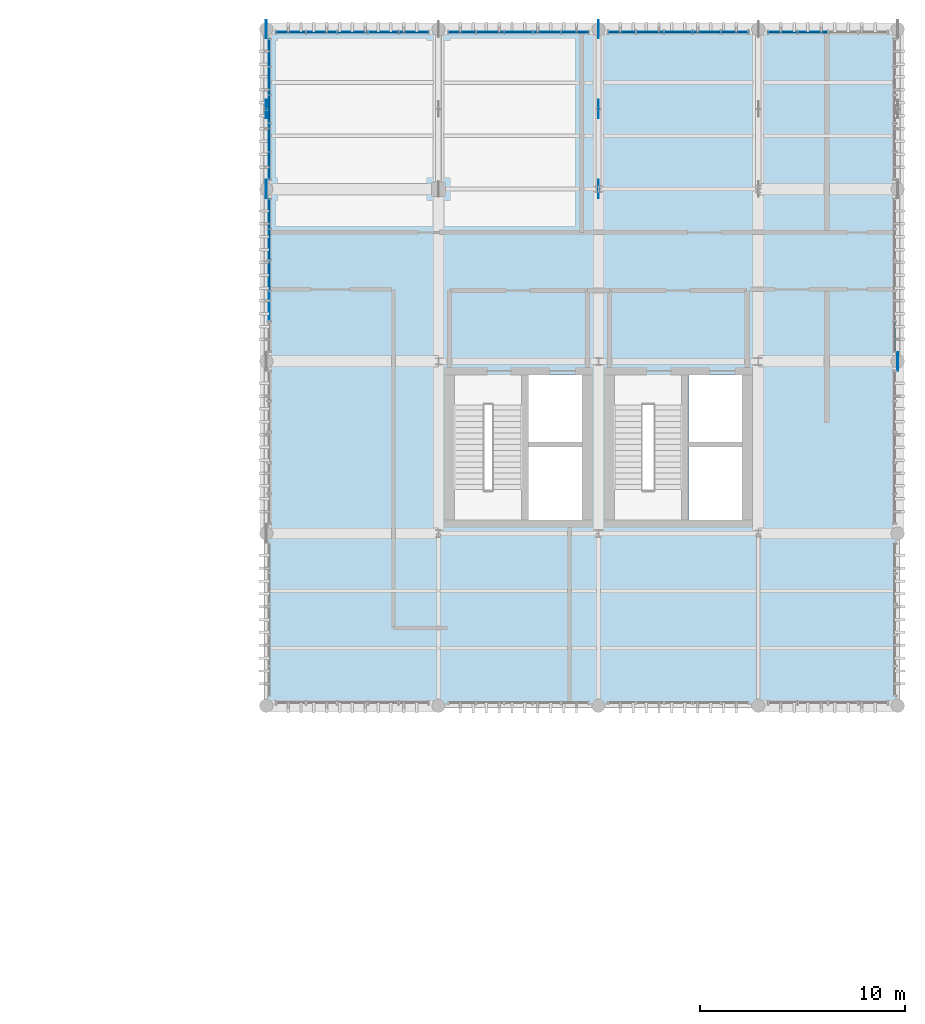
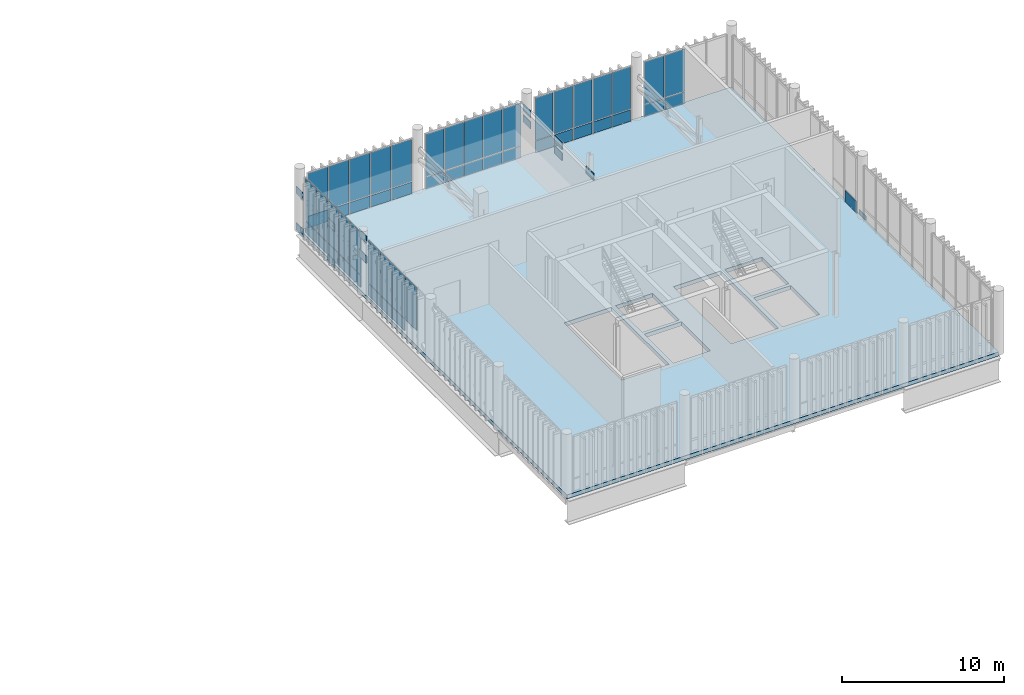
# One storey, part 66 of 81: 64 plates, 1 slab, 7 elements without a shape of their own.
"""IFC4 building model written with IfcOpenShell, lengths in metres."""

from ifc_helpers import new_model, si_unit, direction, frame, frame_2d, origin_with_axes, origin_2d_with_axis, place, context, subcontext, project, spatial, polyline, rectangle, outline, extrude, material, layer, layer_set, type_object, element, aggregate, save


model = new_model("IFC4")

# Units and contexts
model_context = context("Model", 3, precision=1e-05, world=origin_with_axes(), true_north=direction((0.0, 1.0)))
body_context = subcontext(model_context, "Body", "Model", "MODEL_VIEW")
ifc_project = project(units=[si_unit("LENGTHUNIT", "METRE"), si_unit("AREAUNIT", "SQUARE_METRE"), si_unit("VOLUMEUNIT", "CUBIC_METRE"), si_unit("PLANEANGLEUNIT", "RADIAN"), si_unit("MASSUNIT", "GRAM", prefix="KILO"), si_unit("THERMODYNAMICTEMPERATUREUNIT", "KELVIN")], contexts=[model_context])

# Site, building, storey
site_placement = place(None, origin_with_axes())
site = spatial("IfcSite", under=ifc_project, at=site_placement, CompositionType="ELEMENT")
building_placement = place(site_placement, origin_with_axes())
building = spatial("IfcBuilding", under=site, at=building_placement, Name="Montbau Bow Law Courts", CompositionType="ELEMENT")
storey_placement = place(building_placement, frame((0.0, 0.0, 24.9), z_axis=(0.0, 0.0, 1.0), x_axis=(1.0, 0.0, 0.0)))
storey = spatial("IfcBuildingStorey", under=building, at=storey_placement, Name="L05", CompositionType="ELEMENT", Elevation=24.9)

# Curtain wall, plates
ifc_material_1 = material(Name="Thermally Broken Extruded Aluminium AA 6063-T6", Category="aluminium")
curtain_wall_type = type_object("IfcCurtainWallType", Name="CW-SLT-02", PredefinedType="NOTDEFINED", material=ifc_material_1)
curtain_wall_1_placement = place(None, frame((139.04, 110.86, 24.9), z_axis=(0.0, 0.0, 1.0), x_axis=(1.0, 0.0, 0.0)))
curtain_wall_1 = element("IfcCurtainWall", 1, at=curtain_wall_1_placement, inside=storey, type_object=curtain_wall_type, Name="CW-L05-337:cw_0337", PredefinedType="NOTDEFINED")
ifc_material_2 = material(Name="Triple-Glazed Low-E Argon Insulating Glass Unit", Category="glass")
ifc_layer_1 = layer(ifc_material_2, 0.044, Name="Curtain Panel", Category="glass")
ifc_layer_set_1 = layer_set([ifc_layer_1], Name="Triple-Glazed Low-E Argon Insulating Glass Unit")
plate_type_1 = type_object("IfcPlateType", Name="PL-CWP-01", PredefinedType="CURTAIN_PANEL", material=ifc_layer_set_1)
plate_1_placement = place(None, frame((139.108, 110.86, 25.88), z_axis=(0.0, -1.0, 0.0), x_axis=(1.0, 0.0, 0.0)))
plate_1 = element("IfcPlate", 2, at=plate_1_placement, type_object=plate_type_1, Name="CW-L05-337-P01-2:cw_0337_P01_2", PredefinedType="CURTAIN_PANEL", context=body_context, shape_type="SweptSolid", body=[
    extrude(rectangle(XDim=1.402, YDim=3.184, at=frame_2d((0.701, 1.592), x_axis=(1.0, 0.0))), frame((0.0, 0.0, -0.022), z_axis=(0.0, 0.0, 1.0), x_axis=(1.0, 0.0, 0.0)), (0.0, 0.0, 1.0), 0.044),
])
plate_2_placement = place(None, frame((140.578, 110.86, 25.88), z_axis=(0.0, -1.0, 0.0), x_axis=(1.0, 0.0, 0.0)))
plate_2 = element("IfcPlate", 3, at=plate_2_placement, type_object=plate_type_1, Name="CW-L05-337-P02-2:cw_0337_P02_2", PredefinedType="CURTAIN_PANEL", context=body_context, shape_type="SweptSolid", body=[
    extrude(rectangle(XDim=1.436, YDim=3.184, at=frame_2d((0.718, 1.592), x_axis=(1.0, 0.0))), frame((0.0, 0.0, -0.022), z_axis=(0.0, 0.0, 1.0), x_axis=(1.0, 0.0, 0.0)), (0.0, 0.0, 1.0), 0.044),
])
plate_3_placement = place(None, frame((142.082, 110.86, 25.88), z_axis=(0.0, -1.0, 0.0), x_axis=(1.0, 0.0, 0.0)))
plate_3 = element("IfcPlate", 4, at=plate_3_placement, type_object=plate_type_1, Name="CW-L05-337-P03-2:cw_0337_P03_2", PredefinedType="CURTAIN_PANEL", context=body_context, shape_type="SweptSolid", body=[
    extrude(rectangle(XDim=1.436, YDim=3.184, at=frame_2d((0.718, 1.592), x_axis=(1.0, 0.0))), frame((0.0, 0.0, -0.022), z_axis=(0.0, 0.0, 1.0), x_axis=(1.0, 0.0, 0.0)), (0.0, 0.0, 1.0), 0.044),
])
plate_4_placement = place(None, frame((143.586, 110.86, 25.88), z_axis=(0.0, -1.0, 0.0), x_axis=(1.0, 0.0, 0.0)))
plate_4 = element("IfcPlate", 5, at=plate_4_placement, type_object=plate_type_1, Name="CW-L05-337-P04-2:cw_0337_P04_2", PredefinedType="CURTAIN_PANEL", context=body_context, shape_type="SweptSolid", body=[
    extrude(rectangle(XDim=1.436, YDim=3.184, at=frame_2d((0.718, 1.592), x_axis=(1.0, 0.0))), frame((0.0, 0.0, -0.022), z_axis=(0.0, 0.0, 1.0), x_axis=(1.0, 0.0, 0.0)), (0.0, 0.0, 1.0), 0.044),
])
plate_5_placement = place(None, frame((145.09, 110.86, 25.88), z_axis=(0.0, -1.0, 0.0), x_axis=(1.0, 0.0, 0.0)))
plate_5 = element("IfcPlate", 6, at=plate_5_placement, type_object=plate_type_1, Name="CW-L05-337-P05-2:cw_0337_P05_2", PredefinedType="CURTAIN_PANEL", context=body_context, shape_type="SweptSolid", body=[
    extrude(rectangle(XDim=1.404, YDim=3.184, at=frame_2d((0.702, 1.592), x_axis=(1.0, 0.0))), frame((0.0, 0.0, -0.022), z_axis=(0.0, 0.0, 1.0), x_axis=(1.0, 0.0, 0.0)), (0.0, 0.0, 1.0), 0.044),
])

curtain_wall_2_placement = place(None, frame((147.44, 110.86, 24.9), z_axis=(0.0, 0.0, 1.0), x_axis=(1.0, 0.0, 0.0)))
curtain_wall_2 = element("IfcCurtainWall", 7, at=curtain_wall_2_placement, inside=storey, type_object=curtain_wall_type, Name="CW-L05-338:cw_0338", PredefinedType="NOTDEFINED")
plate_6_placement = place(None, frame((147.502, 110.86, 25.882), z_axis=(0.0, -1.0, 0.0), x_axis=(1.0, 0.0, 0.0)))
plate_6 = element("IfcPlate", 8, at=plate_6_placement, type_object=plate_type_1, Name="CW-L05-338-P01-2:cw_0338_P01_2", PredefinedType="CURTAIN_PANEL", context=body_context, shape_type="SweptSolid", body=[
    extrude(rectangle(XDim=1.29, YDim=3.176, at=frame_2d((0.645, 1.588), x_axis=(1.0, 0.0))), frame((0.0, 0.0, -0.022), z_axis=(0.0, 0.0, 1.0), x_axis=(1.0, 0.0, 0.0)), (0.0, 0.0, 1.0), 0.044),
])
plate_7_placement = place(None, frame((148.856, 110.86, 25.882), z_axis=(0.0, -1.0, 0.0), x_axis=(1.0, 0.0, 0.0)))
plate_7 = element("IfcPlate", 9, at=plate_7_placement, type_object=plate_type_1, Name="CW-L05-338-P02-2:cw_0338_P02_2", PredefinedType="CURTAIN_PANEL", context=body_context, shape_type="SweptSolid", body=[
    extrude(rectangle(XDim=1.32, YDim=3.176, at=frame_2d((0.66, 1.588), x_axis=(1.0, 0.0))), frame((0.0, 0.0, -0.022), z_axis=(0.0, 0.0, 1.0), x_axis=(1.0, 0.0, 0.0)), (0.0, 0.0, 1.0), 0.044),
])
plate_8_placement = place(None, frame((150.24, 110.86, 25.882), z_axis=(0.0, -1.0, 0.0), x_axis=(1.0, 0.0, 0.0)))
plate_8 = element("IfcPlate", 10, at=plate_8_placement, type_object=plate_type_1, Name="CW-L05-338-P03-2:cw_0338_P03_2", PredefinedType="CURTAIN_PANEL", context=body_context, shape_type="SweptSolid", body=[
    extrude(rectangle(XDim=1.32, YDim=3.176, at=frame_2d((0.66, 1.588), x_axis=(1.0, 0.0))), frame((0.0, 0.0, -0.022), z_axis=(0.0, 0.0, 1.0), x_axis=(1.0, 0.0, 0.0)), (0.0, 0.0, 1.0), 0.044),
])
plate_9_placement = place(None, frame((151.624, 110.86, 25.882), z_axis=(0.0, -1.0, 0.0), x_axis=(1.0, 0.0, 0.0)))
plate_9 = element("IfcPlate", 11, at=plate_9_placement, type_object=plate_type_1, Name="CW-L05-338-P04-2:cw_0338_P04_2", PredefinedType="CURTAIN_PANEL", context=body_context, shape_type="SweptSolid", body=[
    extrude(rectangle(XDim=1.32, YDim=3.176, at=frame_2d((0.66, 1.588), x_axis=(1.0, 0.0))), frame((0.0, 0.0, -0.022), z_axis=(0.0, 0.0, 1.0), x_axis=(1.0, 0.0, 0.0)), (0.0, 0.0, 1.0), 0.044),
])
plate_10_placement = place(None, frame((153.008, 110.86, 25.882), z_axis=(0.0, -1.0, 0.0), x_axis=(1.0, 0.0, 0.0)))
plate_10 = element("IfcPlate", 12, at=plate_10_placement, type_object=plate_type_1, Name="CW-L05-338-P05-2:cw_0338_P05_2", PredefinedType="CURTAIN_PANEL", context=body_context, shape_type="SweptSolid", body=[
    extrude(rectangle(XDim=1.29, YDim=3.176, at=frame_2d((0.645, 1.588), x_axis=(1.0, 0.0))), frame((0.0, 0.0, -0.022), z_axis=(0.0, 0.0, 1.0), x_axis=(1.0, 0.0, 0.0)), (0.0, 0.0, 1.0), 0.044),
])

curtain_wall_3_placement = place(None, frame((155.24, 110.86, 24.9), z_axis=(0.0, 0.0, 1.0), x_axis=(1.0, 0.0, 0.0)))
curtain_wall_3 = element("IfcCurtainWall", 13, at=curtain_wall_3_placement, inside=storey, type_object=curtain_wall_type, Name="CW-L05-339:cw_0339", PredefinedType="NOTDEFINED")
plate_11_placement = place(None, frame((155.316, 110.86, 25.88), z_axis=(0.0, -1.0, 0.0), x_axis=(1.0, 0.0, 0.0)))
plate_11 = element("IfcPlate", 14, at=plate_11_placement, type_object=plate_type_1, Name="CW-L05-339-P01-2:cw_0339_P01_2", PredefinedType="CURTAIN_PANEL", context=body_context, shape_type="SweptSolid", body=[
    extrude(rectangle(XDim=1.268, YDim=3.184, at=frame_2d((0.634, 1.592), x_axis=(1.0, 0.0))), frame((0.0, 0.0, -0.022), z_axis=(0.0, 0.0, 1.0), x_axis=(1.0, 0.0, 0.0)), (0.0, 0.0, 1.0), 0.044),
])
plate_12_placement = place(None, frame((156.663, 110.86, 25.88), z_axis=(0.0, -1.0, 0.0), x_axis=(1.0, 0.0, 0.0)))
plate_12 = element("IfcPlate", 15, at=plate_12_placement, type_object=plate_type_1, Name="CW-L05-339-P02-2:cw_0339_P02_2", PredefinedType="CURTAIN_PANEL", context=body_context, shape_type="SweptSolid", body=[
    extrude(rectangle(XDim=1.305, YDim=3.184, at=frame_2d((0.6525, 1.592), x_axis=(1.0, 0.0))), frame((0.0, 0.0, -0.022), z_axis=(0.0, 0.0, 1.0), x_axis=(1.0, 0.0, 0.0)), (0.0, 0.0, 1.0), 0.044),
])
plate_13_placement = place(None, frame((158.047, 110.86, 25.88), z_axis=(0.0, -1.0, 0.0), x_axis=(1.0, 0.0, 0.0)))
plate_13 = element("IfcPlate", 16, at=plate_13_placement, type_object=plate_type_1, Name="CW-L05-339-P03-2:cw_0339_P03_2", PredefinedType="CURTAIN_PANEL", context=body_context, shape_type="SweptSolid", body=[
    extrude(rectangle(XDim=1.306, YDim=3.184, at=frame_2d((0.653, 1.592), x_axis=(1.0, 0.0))), frame((0.0, 0.0, -0.022), z_axis=(0.0, 0.0, 1.0), x_axis=(1.0, 0.0, 0.0)), (0.0, 0.0, 1.0), 0.044),
])
plate_14_placement = place(None, frame((159.431, 110.86, 25.88), z_axis=(0.0, -1.0, 0.0), x_axis=(1.0, 0.0, 0.0)))
plate_14 = element("IfcPlate", 17, at=plate_14_placement, type_object=plate_type_1, Name="CW-L05-339-P04-2:cw_0339_P04_2", PredefinedType="CURTAIN_PANEL", context=body_context, shape_type="SweptSolid", body=[
    extrude(rectangle(XDim=1.306, YDim=3.184, at=frame_2d((0.653, 1.592), x_axis=(1.0, 0.0))), frame((0.0, 0.0, -0.022), z_axis=(0.0, 0.0, 1.0), x_axis=(1.0, 0.0, 0.0)), (0.0, 0.0, 1.0), 0.044),
])
plate_15_placement = place(None, frame((160.815, 110.86, 25.88), z_axis=(0.0, -1.0, 0.0), x_axis=(1.0, 0.0, 0.0)))
plate_15 = element("IfcPlate", 18, at=plate_15_placement, type_object=plate_type_1, Name="CW-L05-339-P05-2:cw_0339_P05_2", PredefinedType="CURTAIN_PANEL", context=body_context, shape_type="SweptSolid", body=[
    extrude(rectangle(XDim=1.268, YDim=3.184, at=frame_2d((0.634, 1.592), x_axis=(1.0, 0.0))), frame((0.0, 0.0, -0.022), z_axis=(0.0, 0.0, 1.0), x_axis=(1.0, 0.0, 0.0)), (0.0, 0.0, 1.0), 0.044),
])

curtain_wall_4_placement = place(None, frame((163.04, 110.86, 24.9), z_axis=(0.0, 0.0, 1.0), x_axis=(1.0, 0.0, 0.0)))
curtain_wall_4 = element("IfcCurtainWall", 19, at=curtain_wall_4_placement, inside=storey, type_object=curtain_wall_type, Name="CW-L05-340:cw_0340", PredefinedType="NOTDEFINED")
plate_16_placement = place(None, frame((163.108, 110.86, 25.882), z_axis=(0.0, -1.0, 0.0), x_axis=(1.0, 0.0, 0.0)))
plate_16 = element("IfcPlate", 20, at=plate_16_placement, type_object=plate_type_1, Name="CW-L05-340-P01-2:cw_0340_P01_2", PredefinedType="CURTAIN_PANEL", context=body_context, shape_type="SweptSolid", body=[
    extrude(rectangle(XDim=1.378, YDim=3.176, at=frame_2d((0.689, 1.588), x_axis=(1.0, 0.0))), frame((0.0, 0.0, -0.022), z_axis=(0.0, 0.0, 1.0), x_axis=(1.0, 0.0, 0.0)), (0.0, 0.0, 1.0), 0.044),
])
plate_17_placement = place(None, frame((164.554, 110.86, 25.882), z_axis=(0.0, -1.0, 0.0), x_axis=(1.0, 0.0, 0.0)))
plate_17 = element("IfcPlate", 21, at=plate_17_placement, type_object=plate_type_1, Name="CW-L05-340-P02-2:cw_0340_P02_2", PredefinedType="CURTAIN_PANEL", context=body_context, shape_type="SweptSolid", body=[
    extrude(rectangle(XDim=1.411, YDim=3.176, at=frame_2d((0.7055, 1.588), x_axis=(1.0, 0.0))), frame((0.0, 0.0, -0.022), z_axis=(0.0, 0.0, 1.0), x_axis=(1.0, 0.0, 0.0)), (0.0, 0.0, 1.0), 0.044),
])

curtain_wall_5_placement = place(None, frame((138.74, 95.24, 24.9), z_axis=(0.0, 0.0, 1.0), x_axis=(1.0, 0.0, 0.0)))
curtain_wall_5 = element("IfcCurtainWall", 22, at=curtain_wall_5_placement, inside=storey, type_object=curtain_wall_type, Name="CW-L05-343:cw_0343", PredefinedType="NOTDEFINED")
plate_18_placement = place(None, frame((138.74, 96.778, 25.88), z_axis=(1.0, 0.0, 0.0), x_axis=(0.0, 1.0, 0.0)))
plate_18 = element("IfcPlate", 23, at=plate_18_placement, type_object=plate_type_1, Name="CW-L05-343-P02-2:cw_0343_P02_2", PredefinedType="CURTAIN_PANEL", context=body_context, shape_type="SweptSolid", body=[
    extrude(rectangle(XDim=1.436, YDim=3.184, at=frame_2d((0.718, 1.592), x_axis=(1.0, 0.0))), frame((0.0, 0.0, -0.022), z_axis=(0.0, 0.0, 1.0), x_axis=(1.0, 0.0, 0.0)), (0.0, 0.0, 1.0), 0.044),
])
plate_19_placement = place(None, frame((138.74, 98.282, 25.88), z_axis=(1.0, 0.0, 0.0), x_axis=(0.0, 1.0, 0.0)))
plate_19 = element("IfcPlate", 24, at=plate_19_placement, type_object=plate_type_1, Name="CW-L05-343-P03-2:cw_0343_P03_2", PredefinedType="CURTAIN_PANEL", context=body_context, shape_type="SweptSolid", body=[
    extrude(rectangle(XDim=1.436, YDim=3.184, at=frame_2d((0.718, 1.592), x_axis=(1.0, 0.0))), frame((0.0, 0.0, -0.022), z_axis=(0.0, 0.0, 1.0), x_axis=(1.0, 0.0, 0.0)), (0.0, 0.0, 1.0), 0.044),
])
plate_20_placement = place(None, frame((138.74, 99.786, 25.88), z_axis=(1.0, 0.0, 0.0), x_axis=(0.0, 1.0, 0.0)))
plate_20 = element("IfcPlate", 25, at=plate_20_placement, type_object=plate_type_1, Name="CW-L05-343-P04-2:cw_0343_P04_2", PredefinedType="CURTAIN_PANEL", context=body_context, shape_type="SweptSolid", body=[
    extrude(rectangle(XDim=1.436, YDim=3.184, at=frame_2d((0.718, 1.592), x_axis=(1.0, 0.0))), frame((0.0, 0.0, -0.022), z_axis=(0.0, 0.0, 1.0), x_axis=(1.0, 0.0, 0.0)), (0.0, 0.0, 1.0), 0.044),
])
plate_21_placement = place(None, frame((138.74, 101.29, 25.88), z_axis=(1.0, 0.0, 0.0), x_axis=(0.0, 1.0, 0.0)))
plate_21 = element("IfcPlate", 26, at=plate_21_placement, type_object=plate_type_1, Name="CW-L05-343-P05-2:cw_0343_P05_2", PredefinedType="CURTAIN_PANEL", context=body_context, shape_type="SweptSolid", body=[
    extrude(rectangle(XDim=1.404, YDim=3.184, at=frame_2d((0.702, 1.592), x_axis=(1.0, 0.0))), frame((0.0, 0.0, -0.022), z_axis=(0.0, 0.0, 1.0), x_axis=(1.0, 0.0, 0.0)), (0.0, 0.0, 1.0), 0.044),
])

curtain_wall_6_placement = place(None, frame((138.74, 103.64, 24.9), z_axis=(0.0, 0.0, 1.0), x_axis=(1.0, 0.0, 0.0)))
curtain_wall_6 = element("IfcCurtainWall", 27, at=curtain_wall_6_placement, inside=storey, type_object=curtain_wall_type, Name="CW-L05-344:cw_0344", PredefinedType="NOTDEFINED")
plate_22_placement = place(None, frame((138.74, 103.702, 25.882), z_axis=(1.0, 0.0, 0.0), x_axis=(0.0, 1.0, 0.0)))
plate_22 = element("IfcPlate", 28, at=plate_22_placement, type_object=plate_type_1, Name="CW-L05-344-P01-2:cw_0344_P01_2", PredefinedType="CURTAIN_PANEL", context=body_context, shape_type="SweptSolid", body=[
    extrude(rectangle(XDim=1.29, YDim=3.176, at=frame_2d((0.645, 1.588), x_axis=(1.0, 0.0))), frame((0.0, 0.0, -0.022), z_axis=(0.0, 0.0, 1.0), x_axis=(1.0, 0.0, 0.0)), (0.0, 0.0, 1.0), 0.044),
])
plate_23_placement = place(None, frame((138.74, 105.056, 25.882), z_axis=(1.0, 0.0, 0.0), x_axis=(0.0, 1.0, 0.0)))
plate_23 = element("IfcPlate", 29, at=plate_23_placement, type_object=plate_type_1, Name="CW-L05-344-P02-2:cw_0344_P02_2", PredefinedType="CURTAIN_PANEL", context=body_context, shape_type="SweptSolid", body=[
    extrude(rectangle(XDim=1.32, YDim=3.176, at=frame_2d((0.66, 1.588), x_axis=(1.0, 0.0))), frame((0.0, 0.0, -0.022), z_axis=(0.0, 0.0, 1.0), x_axis=(1.0, 0.0, 0.0)), (0.0, 0.0, 1.0), 0.044),
])
plate_24_placement = place(None, frame((138.74, 106.44, 25.882), z_axis=(1.0, 0.0, 0.0), x_axis=(0.0, 1.0, 0.0)))
plate_24 = element("IfcPlate", 30, at=plate_24_placement, type_object=plate_type_1, Name="CW-L05-344-P03-2:cw_0344_P03_2", PredefinedType="CURTAIN_PANEL", context=body_context, shape_type="SweptSolid", body=[
    extrude(rectangle(XDim=1.32, YDim=3.176, at=frame_2d((0.66, 1.588), x_axis=(1.0, 0.0))), frame((0.0, 0.0, -0.022), z_axis=(0.0, 0.0, 1.0), x_axis=(1.0, 0.0, 0.0)), (0.0, 0.0, 1.0), 0.044),
])
plate_25_placement = place(None, frame((138.74, 107.824, 25.882), z_axis=(1.0, 0.0, 0.0), x_axis=(0.0, 1.0, 0.0)))
plate_25 = element("IfcPlate", 31, at=plate_25_placement, type_object=plate_type_1, Name="CW-L05-344-P04-2:cw_0344_P04_2", PredefinedType="CURTAIN_PANEL", context=body_context, shape_type="SweptSolid", body=[
    extrude(rectangle(XDim=1.32, YDim=3.176, at=frame_2d((0.66, 1.588), x_axis=(1.0, 0.0))), frame((0.0, 0.0, -0.022), z_axis=(0.0, 0.0, 1.0), x_axis=(1.0, 0.0, 0.0)), (0.0, 0.0, 1.0), 0.044),
])
plate_26_placement = place(None, frame((138.74, 109.208, 25.882), z_axis=(1.0, 0.0, 0.0), x_axis=(0.0, 1.0, 0.0)))
plate_26 = element("IfcPlate", 32, at=plate_26_placement, type_object=plate_type_1, Name="CW-L05-344-P05-2:cw_0344_P05_2", PredefinedType="CURTAIN_PANEL", context=body_context, shape_type="SweptSolid", body=[
    extrude(rectangle(XDim=1.29, YDim=3.176, at=frame_2d((0.645, 1.588), x_axis=(1.0, 0.0))), frame((0.0, 0.0, -0.022), z_axis=(0.0, 0.0, 1.0), x_axis=(1.0, 0.0, 0.0)), (0.0, 0.0, 1.0), 0.044),
])

# Plate
ifc_material_3 = material(Name="Insulated Ceramic-Frit Spandrel Glazing Unit", Category="glass")
ifc_layer_2 = layer(ifc_material_3, 0.056, Name="Curtain Panel", Category="glass")
ifc_layer_set_2 = layer_set([ifc_layer_2], Name="Insulated Ceramic-Frit Spandrel Glazing Unit")
plate_type_2 = type_object("IfcPlateType", Name="PL-CWP-02", PredefinedType="CURTAIN_PANEL", material=ifc_layer_set_2)
plate_27_placement = place(None, frame((139.108, 110.86, 24.956), z_axis=(0.0, -1.0, 0.0), x_axis=(1.0, 0.0, 0.0)))
plate_27 = element("IfcPlate", 33, at=plate_27_placement, type_object=plate_type_2, Name="CW-L05-337-P01-1:cw_0337_P01_1", PredefinedType="CURTAIN_PANEL", context=body_context, shape_type="SweptSolid", body=[
    extrude(rectangle(XDim=1.402, YDim=0.865, at=frame_2d((0.701, 0.4325), x_axis=(1.0, 0.0))), frame((0.0, 0.0, -0.028), z_axis=(0.0, 0.0, 1.0), x_axis=(1.0, 0.0, 0.0)), (0.0, 0.0, 1.0), 0.056),
])

plate_28_placement = place(None, frame((140.578, 110.86, 24.956), z_axis=(0.0, -1.0, 0.0), x_axis=(1.0, 0.0, 0.0)))
plate_28 = element("IfcPlate", 34, at=plate_28_placement, type_object=plate_type_2, Name="CW-L05-337-P02-1:cw_0337_P02_1", PredefinedType="CURTAIN_PANEL", context=body_context, shape_type="SweptSolid", body=[
    extrude(rectangle(XDim=1.436, YDim=0.865, at=frame_2d((0.718, 0.4325), x_axis=(1.0, 0.0))), frame((0.0, 0.0, -0.028), z_axis=(0.0, 0.0, 1.0), x_axis=(1.0, 0.0, 0.0)), (0.0, 0.0, 1.0), 0.056),
])

plate_29_placement = place(None, frame((142.082, 110.86, 24.956), z_axis=(0.0, -1.0, 0.0), x_axis=(1.0, 0.0, 0.0)))
plate_29 = element("IfcPlate", 35, at=plate_29_placement, type_object=plate_type_2, Name="CW-L05-337-P03-1:cw_0337_P03_1", PredefinedType="CURTAIN_PANEL", context=body_context, shape_type="SweptSolid", body=[
    extrude(rectangle(XDim=1.436, YDim=0.865, at=frame_2d((0.718, 0.4325), x_axis=(1.0, 0.0))), frame((0.0, 0.0, -0.028), z_axis=(0.0, 0.0, 1.0), x_axis=(1.0, 0.0, 0.0)), (0.0, 0.0, 1.0), 0.056),
])

plate_30_placement = place(None, frame((143.586, 110.86, 24.956), z_axis=(0.0, -1.0, 0.0), x_axis=(1.0, 0.0, 0.0)))
plate_30 = element("IfcPlate", 36, at=plate_30_placement, type_object=plate_type_2, Name="CW-L05-337-P04-1:cw_0337_P04_1", PredefinedType="CURTAIN_PANEL", context=body_context, shape_type="SweptSolid", body=[
    extrude(rectangle(XDim=1.436, YDim=0.865, at=frame_2d((0.718, 0.4325), x_axis=(1.0, 0.0))), frame((0.0, 0.0, -0.028), z_axis=(0.0, 0.0, 1.0), x_axis=(1.0, 0.0, 0.0)), (0.0, 0.0, 1.0), 0.056),
])

plate_31_placement = place(None, frame((145.09, 110.86, 24.956), z_axis=(0.0, -1.0, 0.0), x_axis=(1.0, 0.0, 0.0)))
plate_31 = element("IfcPlate", 37, at=plate_31_placement, type_object=plate_type_2, Name="CW-L05-337-P05-1:cw_0337_P05_1", PredefinedType="CURTAIN_PANEL", context=body_context, shape_type="SweptSolid", body=[
    extrude(rectangle(XDim=1.404, YDim=0.865, at=frame_2d((0.702, 0.4325), x_axis=(1.0, 0.0))), frame((0.0, 0.0, -0.028), z_axis=(0.0, 0.0, 1.0), x_axis=(1.0, 0.0, 0.0)), (0.0, 0.0, 1.0), 0.056),
])

aggregate(curtain_wall_1, [plate_27, plate_1, plate_28, plate_2, plate_29, plate_3, plate_30, plate_4, plate_31, plate_5])

plate_32_placement = place(None, frame((147.502, 110.86, 24.962), z_axis=(0.0, -1.0, 0.0), x_axis=(1.0, 0.0, 0.0)))
plate_32 = element("IfcPlate", 38, at=plate_32_placement, type_object=plate_type_2, Name="CW-L05-338-P01-1:cw_0338_P01_1", PredefinedType="CURTAIN_PANEL", context=body_context, shape_type="SweptSolid", body=[
    extrude(rectangle(XDim=1.29, YDim=0.856, at=frame_2d((0.645, 0.428), x_axis=(1.0, 0.0))), frame((0.0, 0.0, -0.028), z_axis=(0.0, 0.0, 1.0), x_axis=(1.0, 0.0, 0.0)), (0.0, 0.0, 1.0), 0.056),
])

plate_33_placement = place(None, frame((148.856, 110.86, 24.962), z_axis=(0.0, -1.0, 0.0), x_axis=(1.0, 0.0, 0.0)))
plate_33 = element("IfcPlate", 39, at=plate_33_placement, type_object=plate_type_2, Name="CW-L05-338-P02-1:cw_0338_P02_1", PredefinedType="CURTAIN_PANEL", context=body_context, shape_type="SweptSolid", body=[
    extrude(rectangle(XDim=1.32, YDim=0.856, at=frame_2d((0.66, 0.428), x_axis=(1.0, 0.0))), frame((0.0, 0.0, -0.028), z_axis=(0.0, 0.0, 1.0), x_axis=(1.0, 0.0, 0.0)), (0.0, 0.0, 1.0), 0.056),
])

plate_34_placement = place(None, frame((150.24, 110.86, 24.962), z_axis=(0.0, -1.0, 0.0), x_axis=(1.0, 0.0, 0.0)))
plate_34 = element("IfcPlate", 40, at=plate_34_placement, type_object=plate_type_2, Name="CW-L05-338-P03-1:cw_0338_P03_1", PredefinedType="CURTAIN_PANEL", context=body_context, shape_type="SweptSolid", body=[
    extrude(rectangle(XDim=1.32, YDim=0.856, at=frame_2d((0.66, 0.428), x_axis=(1.0, 0.0))), frame((0.0, 0.0, -0.028), z_axis=(0.0, 0.0, 1.0), x_axis=(1.0, 0.0, 0.0)), (0.0, 0.0, 1.0), 0.056),
])

plate_35_placement = place(None, frame((151.624, 110.86, 24.962), z_axis=(0.0, -1.0, 0.0), x_axis=(1.0, 0.0, 0.0)))
plate_35 = element("IfcPlate", 41, at=plate_35_placement, type_object=plate_type_2, Name="CW-L05-338-P04-1:cw_0338_P04_1", PredefinedType="CURTAIN_PANEL", context=body_context, shape_type="SweptSolid", body=[
    extrude(rectangle(XDim=1.32, YDim=0.856, at=frame_2d((0.66, 0.428), x_axis=(1.0, 0.0))), frame((0.0, 0.0, -0.028), z_axis=(0.0, 0.0, 1.0), x_axis=(1.0, 0.0, 0.0)), (0.0, 0.0, 1.0), 0.056),
])

plate_36_placement = place(None, frame((153.008, 110.86, 24.962), z_axis=(0.0, -1.0, 0.0), x_axis=(1.0, 0.0, 0.0)))
plate_36 = element("IfcPlate", 42, at=plate_36_placement, type_object=plate_type_2, Name="CW-L05-338-P05-1:cw_0338_P05_1", PredefinedType="CURTAIN_PANEL", context=body_context, shape_type="SweptSolid", body=[
    extrude(rectangle(XDim=1.29, YDim=0.856, at=frame_2d((0.645, 0.428), x_axis=(1.0, 0.0))), frame((0.0, 0.0, -0.028), z_axis=(0.0, 0.0, 1.0), x_axis=(1.0, 0.0, 0.0)), (0.0, 0.0, 1.0), 0.056),
])

aggregate(curtain_wall_2, [plate_32, plate_6, plate_33, plate_7, plate_34, plate_8, plate_35, plate_9, plate_36, plate_10])

plate_37_placement = place(None, frame((155.316, 110.86, 24.956), z_axis=(0.0, -1.0, 0.0), x_axis=(1.0, 0.0, 0.0)))
plate_37 = element("IfcPlate", 43, at=plate_37_placement, type_object=plate_type_2, Name="CW-L05-339-P01-1:cw_0339_P01_1", PredefinedType="CURTAIN_PANEL", context=body_context, shape_type="SweptSolid", body=[
    extrude(rectangle(XDim=1.268, YDim=0.865, at=frame_2d((0.634, 0.4325), x_axis=(1.0, 0.0))), frame((0.0, 0.0, -0.028), z_axis=(0.0, 0.0, 1.0), x_axis=(1.0, 0.0, 0.0)), (0.0, 0.0, 1.0), 0.056),
])

plate_38_placement = place(None, frame((156.663, 110.86, 24.956), z_axis=(0.0, -1.0, 0.0), x_axis=(1.0, 0.0, 0.0)))
plate_38 = element("IfcPlate", 44, at=plate_38_placement, type_object=plate_type_2, Name="CW-L05-339-P02-1:cw_0339_P02_1", PredefinedType="CURTAIN_PANEL", context=body_context, shape_type="SweptSolid", body=[
    extrude(rectangle(XDim=1.305, YDim=0.865, at=frame_2d((0.6525, 0.4325), x_axis=(1.0, 0.0))), frame((0.0, 0.0, -0.028), z_axis=(0.0, 0.0, 1.0), x_axis=(1.0, 0.0, 0.0)), (0.0, 0.0, 1.0), 0.056),
])

plate_39_placement = place(None, frame((158.047, 110.86, 24.956), z_axis=(0.0, -1.0, 0.0), x_axis=(1.0, 0.0, 0.0)))
plate_39 = element("IfcPlate", 45, at=plate_39_placement, type_object=plate_type_2, Name="CW-L05-339-P03-1:cw_0339_P03_1", PredefinedType="CURTAIN_PANEL", context=body_context, shape_type="SweptSolid", body=[
    extrude(rectangle(XDim=1.306, YDim=0.865, at=frame_2d((0.653, 0.4325), x_axis=(1.0, 0.0))), frame((0.0, 0.0, -0.028), z_axis=(0.0, 0.0, 1.0), x_axis=(1.0, 0.0, 0.0)), (0.0, 0.0, 1.0), 0.056),
])

plate_40_placement = place(None, frame((159.431, 110.86, 24.956), z_axis=(0.0, -1.0, 0.0), x_axis=(1.0, 0.0, 0.0)))
plate_40 = element("IfcPlate", 46, at=plate_40_placement, type_object=plate_type_2, Name="CW-L05-339-P04-1:cw_0339_P04_1", PredefinedType="CURTAIN_PANEL", context=body_context, shape_type="SweptSolid", body=[
    extrude(rectangle(XDim=1.306, YDim=0.865, at=frame_2d((0.653, 0.4325), x_axis=(1.0, 0.0))), frame((0.0, 0.0, -0.028), z_axis=(0.0, 0.0, 1.0), x_axis=(1.0, 0.0, 0.0)), (0.0, 0.0, 1.0), 0.056),
])

plate_41_placement = place(None, frame((160.815, 110.86, 24.956), z_axis=(0.0, -1.0, 0.0), x_axis=(1.0, 0.0, 0.0)))
plate_41 = element("IfcPlate", 47, at=plate_41_placement, type_object=plate_type_2, Name="CW-L05-339-P05-1:cw_0339_P05_1", PredefinedType="CURTAIN_PANEL", context=body_context, shape_type="SweptSolid", body=[
    extrude(rectangle(XDim=1.268, YDim=0.865, at=frame_2d((0.634, 0.4325), x_axis=(1.0, 0.0))), frame((0.0, 0.0, -0.028), z_axis=(0.0, 0.0, 1.0), x_axis=(1.0, 0.0, 0.0)), (0.0, 0.0, 1.0), 0.056),
])

aggregate(curtain_wall_3, [plate_37, plate_11, plate_38, plate_12, plate_39, plate_13, plate_40, plate_14, plate_41, plate_15])

plate_42_placement = place(None, frame((163.108, 110.86, 24.962), z_axis=(0.0, -1.0, 0.0), x_axis=(1.0, 0.0, 0.0)))
plate_42 = element("IfcPlate", 48, at=plate_42_placement, type_object=plate_type_2, Name="CW-L05-340-P01-1:cw_0340_P01_1", PredefinedType="CURTAIN_PANEL", context=body_context, shape_type="SweptSolid", body=[
    extrude(rectangle(XDim=1.378, YDim=0.856, at=frame_2d((0.689, 0.428), x_axis=(1.0, 0.0))), frame((0.0, 0.0, -0.028), z_axis=(0.0, 0.0, 1.0), x_axis=(1.0, 0.0, 0.0)), (0.0, 0.0, 1.0), 0.056),
])

plate_43_placement = place(None, frame((164.554, 110.86, 24.962), z_axis=(0.0, -1.0, 0.0), x_axis=(1.0, 0.0, 0.0)))
plate_43 = element("IfcPlate", 49, at=plate_43_placement, type_object=plate_type_2, Name="CW-L05-340-P02-1:cw_0340_P02_1", PredefinedType="CURTAIN_PANEL", context=body_context, shape_type="SweptSolid", body=[
    extrude(rectangle(XDim=1.411, YDim=0.856, at=frame_2d((0.7055, 0.428), x_axis=(1.0, 0.0))), frame((0.0, 0.0, -0.028), z_axis=(0.0, 0.0, 1.0), x_axis=(1.0, 0.0, 0.0)), (0.0, 0.0, 1.0), 0.056),
])

aggregate(curtain_wall_4, [plate_42, plate_16, plate_43, plate_17])

plate_44_placement = place(None, frame((138.74, 98.282, 24.956), z_axis=(1.0, 0.0, 0.0), x_axis=(0.0, 1.0, 0.0)))
plate_44 = element("IfcPlate", 50, at=plate_44_placement, type_object=plate_type_2, Name="CW-L05-343-P03-1:cw_0343_P03_1", PredefinedType="CURTAIN_PANEL", context=body_context, shape_type="SweptSolid", body=[
    extrude(rectangle(XDim=1.436, YDim=0.865, at=frame_2d((0.718, 0.4325), x_axis=(1.0, 0.0))), frame((0.0, 0.0, -0.028), z_axis=(0.0, 0.0, 1.0), x_axis=(1.0, 0.0, 0.0)), (0.0, 0.0, 1.0), 0.056),
])

plate_45_placement = place(None, frame((138.74, 99.786, 24.956), z_axis=(1.0, 0.0, 0.0), x_axis=(0.0, 1.0, 0.0)))
plate_45 = element("IfcPlate", 51, at=plate_45_placement, type_object=plate_type_2, Name="CW-L05-343-P04-1:cw_0343_P04_1", PredefinedType="CURTAIN_PANEL", context=body_context, shape_type="SweptSolid", body=[
    extrude(rectangle(XDim=1.436, YDim=0.865, at=frame_2d((0.718, 0.4325), x_axis=(1.0, 0.0))), frame((0.0, 0.0, -0.028), z_axis=(0.0, 0.0, 1.0), x_axis=(1.0, 0.0, 0.0)), (0.0, 0.0, 1.0), 0.056),
])

plate_46_placement = place(None, frame((138.74, 101.29, 24.956), z_axis=(1.0, 0.0, 0.0), x_axis=(0.0, 1.0, 0.0)))
plate_46 = element("IfcPlate", 52, at=plate_46_placement, type_object=plate_type_2, Name="CW-L05-343-P05-1:cw_0343_P05_1", PredefinedType="CURTAIN_PANEL", context=body_context, shape_type="SweptSolid", body=[
    extrude(rectangle(XDim=1.404, YDim=0.865, at=frame_2d((0.702, 0.4325), x_axis=(1.0, 0.0))), frame((0.0, 0.0, -0.028), z_axis=(0.0, 0.0, 1.0), x_axis=(1.0, 0.0, 0.0)), (0.0, 0.0, 1.0), 0.056),
])

aggregate(curtain_wall_5, [plate_18, plate_44, plate_19, plate_45, plate_20, plate_46, plate_21])

plate_47_placement = place(None, frame((138.74, 103.702, 24.962), z_axis=(1.0, 0.0, 0.0), x_axis=(0.0, 1.0, 0.0)))
plate_47 = element("IfcPlate", 53, at=plate_47_placement, type_object=plate_type_2, Name="CW-L05-344-P01-1:cw_0344_P01_1", PredefinedType="CURTAIN_PANEL", context=body_context, shape_type="SweptSolid", body=[
    extrude(rectangle(XDim=1.29, YDim=0.856, at=frame_2d((0.645, 0.428), x_axis=(1.0, 0.0))), frame((0.0, 0.0, -0.028), z_axis=(0.0, 0.0, 1.0), x_axis=(1.0, 0.0, 0.0)), (0.0, 0.0, 1.0), 0.056),
])

plate_48_placement = place(None, frame((138.74, 105.056, 24.962), z_axis=(1.0, 0.0, 0.0), x_axis=(0.0, 1.0, 0.0)))
plate_48 = element("IfcPlate", 54, at=plate_48_placement, type_object=plate_type_2, Name="CW-L05-344-P02-1:cw_0344_P02_1", PredefinedType="CURTAIN_PANEL", context=body_context, shape_type="SweptSolid", body=[
    extrude(rectangle(XDim=1.32, YDim=0.856, at=frame_2d((0.66, 0.428), x_axis=(1.0, 0.0))), frame((0.0, 0.0, -0.028), z_axis=(0.0, 0.0, 1.0), x_axis=(1.0, 0.0, 0.0)), (0.0, 0.0, 1.0), 0.056),
])

plate_49_placement = place(None, frame((138.74, 106.44, 24.962), z_axis=(1.0, 0.0, 0.0), x_axis=(0.0, 1.0, 0.0)))
plate_49 = element("IfcPlate", 55, at=plate_49_placement, type_object=plate_type_2, Name="CW-L05-344-P03-1:cw_0344_P03_1", PredefinedType="CURTAIN_PANEL", context=body_context, shape_type="SweptSolid", body=[
    extrude(rectangle(XDim=1.32, YDim=0.856, at=frame_2d((0.66, 0.428), x_axis=(1.0, 0.0))), frame((0.0, 0.0, -0.028), z_axis=(0.0, 0.0, 1.0), x_axis=(1.0, 0.0, 0.0)), (0.0, 0.0, 1.0), 0.056),
])

plate_50_placement = place(None, frame((138.74, 107.824, 24.962), z_axis=(1.0, 0.0, 0.0), x_axis=(0.0, 1.0, 0.0)))
plate_50 = element("IfcPlate", 56, at=plate_50_placement, type_object=plate_type_2, Name="CW-L05-344-P04-1:cw_0344_P04_1", PredefinedType="CURTAIN_PANEL", context=body_context, shape_type="SweptSolid", body=[
    extrude(rectangle(XDim=1.32, YDim=0.856, at=frame_2d((0.66, 0.428), x_axis=(1.0, 0.0))), frame((0.0, 0.0, -0.028), z_axis=(0.0, 0.0, 1.0), x_axis=(1.0, 0.0, 0.0)), (0.0, 0.0, 1.0), 0.056),
])

plate_51_placement = place(None, frame((138.74, 109.208, 24.962), z_axis=(1.0, 0.0, 0.0), x_axis=(0.0, 1.0, 0.0)))
plate_51 = element("IfcPlate", 57, at=plate_51_placement, type_object=plate_type_2, Name="CW-L05-344-P05-1:cw_0344_P05_1", PredefinedType="CURTAIN_PANEL", context=body_context, shape_type="SweptSolid", body=[
    extrude(rectangle(XDim=1.29, YDim=0.856, at=frame_2d((0.645, 0.428), x_axis=(1.0, 0.0))), frame((0.0, 0.0, -0.028), z_axis=(0.0, 0.0, 1.0), x_axis=(1.0, 0.0, 0.0)), (0.0, 0.0, 1.0), 0.056),
])

aggregate(curtain_wall_6, [plate_47, plate_22, plate_48, plate_23, plate_49, plate_24, plate_50, plate_25, plate_51, plate_26])

# Curtain wall, plate
curtain_wall_7_placement = place(None, frame((169.26, 95.24, 24.9), z_axis=(0.0, 0.0, 1.0), x_axis=(1.0, 0.0, 0.0)))
curtain_wall_7 = element("IfcCurtainWall", 58, at=curtain_wall_7_placement, inside=storey, type_object=curtain_wall_type, Name="CW-L05-347:cw_0347", PredefinedType="NOTDEFINED")
plate_52_placement = place(None, frame((169.26, 95.302, 24.956), z_axis=(1.0, 0.0, 0.0), x_axis=(0.0, 1.0, 0.0)))
plate_52 = element("IfcPlate", 59, at=plate_52_placement, type_object=plate_type_2, Name="CW-L05-347-P01-1:cw_0347_P01_1", PredefinedType="CURTAIN_PANEL", context=body_context, shape_type="SweptSolid", body=[
    extrude(rectangle(XDim=1.41, YDim=0.865, at=frame_2d((0.705, 0.4325), x_axis=(1.0, 0.0))), frame((0.0, 0.0, -0.028), z_axis=(0.0, 0.0, 1.0), x_axis=(1.0, 0.0, 0.0)), (0.0, 0.0, 1.0), 0.056),
])
aggregate(curtain_wall_7, [plate_52])

# Plates
ifc_material_4 = material(Name="Steel CSA G40.21 Grade 350WT (350 MPa)", Category="steel")
ifc_layer_3 = layer(ifc_material_4, 0.032, Name="Gusset Plate", Category="steel")
ifc_layer_set_3 = layer_set([ifc_layer_3], Name="Steel CSA G40.21 Grade 350WT (350 MPa)")
plate_type_3 = type_object("IfcPlateType", Name="PL-GUS-01", PredefinedType="USERDEFINED", material=ifc_layer_set_3)
for number, where, z_axis, x_axis, name in (
    (60, (138.6, 103.2, 27.37), (0.0, 0.0, 1.0), (0.0, 1.0, 0.0), "BGP-L05-046:plt_0077"),
    (61, (138.6, 107.1, 24.62), (0.0, 0.0, 1.0), (0.0, 1.0, 0.0), "BGP-L05-047:plt_0078"),
    (62, (138.6, 107.1, 27.37), (0.0, 0.0, 1.0), (0.0, 1.0, 0.0), "BGP-L05-048:plt_0079"),
    (63, (138.6, 111.0, 24.62), (0.0, 0.0, 1.0), (0.0, 1.0, 0.0), "BGP-L05-049:plt_0080"),
    (64, (138.6, 111.0, 27.37), (0.0, 0.0, 1.0), (0.0, 1.0, 0.0), "BGP-L05-050:plt_0081"),
    (65, (154.8, 103.2, 27.92), (0.0, 0.0, 1.0), (0.0, 1.0, 0.0), "BGP-L05-056:plt_0087"),
    (66, (154.8, 107.1, 27.08), (0.0, 0.0, 1.0), (0.0, 1.0, 0.0), "BGP-L05-057:plt_0088"),
    (67, (154.8, 107.1, 27.92), (0.0, 0.0, 1.0), (0.0, 1.0, 0.0), "BGP-L05-058:plt_0089"),
    (68, (154.8, 111.0, 27.08), (0.0, 0.0, 1.0), (0.0, 1.0, 0.0), "BGP-L05-059:plt_0090"),
    (69, (154.8, 111.0, 27.92), (0.0, 0.0, 1.0), (0.0, 1.0, 0.0), "BGP-L05-060:plt_0091"),
    (70, (138.6, 103.2, 28.877), (0.0, 0.0, 1.0), (0.0, 1.0, 0.0), "BGP-L05-159:plt_0190"),
    (71, (169.4, 94.8, 24.67), (0.0, 0.0, 1.0), (0.0, 1.0, 0.0), "BGP-L05-172:plt_0203"),
):
    element("IfcPlate", number, at=place(None, frame(where, z_axis=z_axis, x_axis=x_axis)), inside=storey, type_object=plate_type_3, Name=name, ObjectType="GUSSET_PLATE", PredefinedType="USERDEFINED", context=body_context, shape_type="SweptSolid", body=[
        extrude(rectangle(XDim=0.9, YDim=0.032, at=origin_2d_with_axis()), origin_with_axes(), (0.0, 0.0, 1.0), 0.56),
    ])

# Slab
ifc_material_5 = material(Name="Concrete CSA A23.1 f'c 40 MPa", Category="concrete")
ifc_layer_4 = layer(ifc_material_5, 0.3, Name="Floor Slab", Category="concrete")
ifc_layer_set_4 = layer_set([ifc_layer_4], Name="Concrete CSA A23.1 f'c 40 MPa")
slab_type = type_object("IfcSlabType", Name="SL-FLR-06", PredefinedType="FLOOR", material=ifc_layer_set_4)
slab_placement = place(None, frame((0.0, 0.0, 24.6), z_axis=(0.0, 0.0, 1.0), x_axis=(1.0, 0.0, 0.0)))
element("IfcSlab", 72, at=slab_placement, inside=storey, type_object=slab_type, Name="SL-V5-L05:slb_0030", PredefinedType="FLOOR", context=body_context, shape_type="SweptSolid", body=[
    extrude(outline(polyline([(138.6, 78.0), (169.4, 78.0), (169.4, 111.0), (138.6, 111.0), (138.6, 78.0)]), holes=[polyline([(147.72, 87.04), (151.1, 87.04), (151.1, 94.142), (147.72, 94.142), (147.72, 87.04)]), polyline([(151.4, 87.04), (154.05, 87.04), (154.05, 90.622), (151.4, 90.622), (151.4, 87.04)]), polyline([(151.4, 90.862), (154.05, 90.862), (154.05, 94.16), (151.4, 94.16), (151.4, 90.862)]), polyline([(155.52, 87.04), (158.9, 87.04), (158.9, 94.142), (155.52, 94.142), (155.52, 87.04)]), polyline([(159.2, 87.04), (161.85, 87.04), (161.85, 90.622), (159.2, 90.622), (159.2, 87.04)]), polyline([(159.2, 90.862), (161.85, 90.862), (161.85, 94.16), (159.2, 94.16), (159.2, 90.862)])]), origin_with_axes(), (0.0, 0.0, 1.0), 0.3),
])

save(model, "model.ifc")
